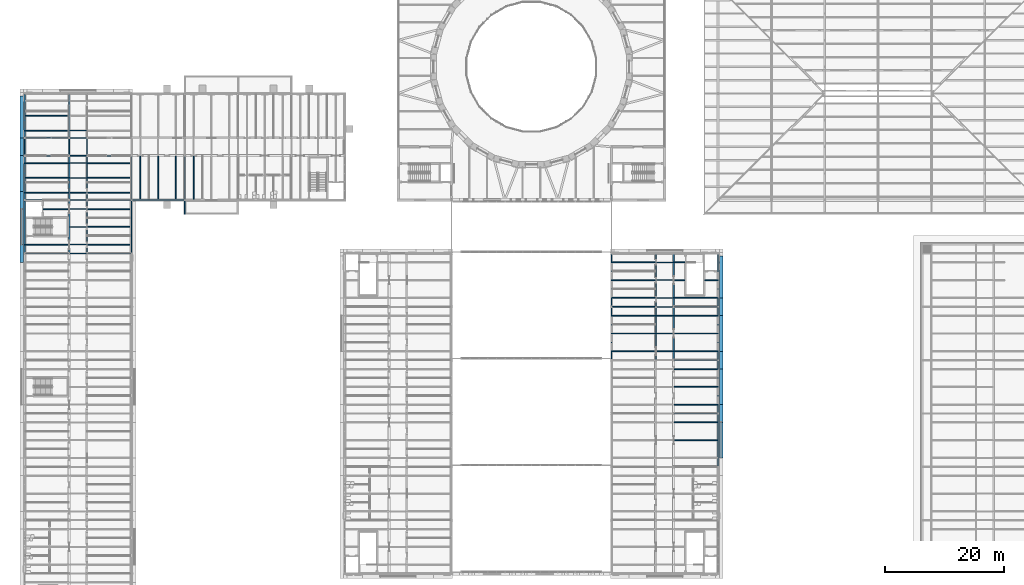
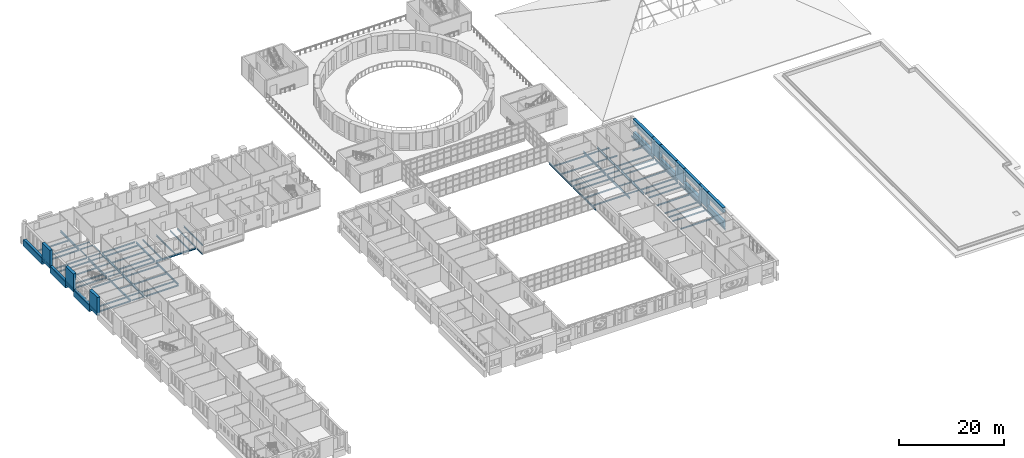
# One storey, part 34 of 154: 101 beams, 6 members.
"""IFC4 building model written with IfcOpenShell, lengths in metres."""

from ifc_helpers import new_model, si_unit, direction, frame, origin, origin_2d, place, context, subcontext, project, spatial, rectangle, i_section, extrude, material, material_profile, profile_set, type_object, element, save


model = new_model("IFC4")

# Units and contexts
model_context = context("Model", 3, precision=1e-05, world=origin(), true_north=direction((0.0, 1.0)))
body_context = subcontext(model_context, "Body", "Model", "MODEL_VIEW")
ifc_project = project(units=[si_unit("LENGTHUNIT", "METRE"), si_unit("AREAUNIT", "SQUARE_METRE"), si_unit("VOLUMEUNIT", "CUBIC_METRE"), si_unit("PLANEANGLEUNIT", "RADIAN"), si_unit("MASSUNIT", "GRAM", prefix="KILO")], contexts=[model_context])

# Site, building, storey
site_placement = place(None, origin())
site = spatial("IfcSite", under=ifc_project, at=site_placement, CompositionType="ELEMENT")
building_placement = place(site_placement, origin())
building = spatial("IfcBuilding", under=site, at=building_placement, Name="Golden Quay Civic Hall", CompositionType="ELEMENT")
storey_placement = place(building_placement, frame((0.0, 0.0, 14.39990234375)))
storey = spatial("IfcBuildingStorey", under=building, at=storey_placement, Name="L03", CompositionType="ELEMENT", Elevation=14.39990234375)

# Beam
ifc_material_1 = material(Name="Steel S355", Category="steel")
ifc_material_profile_1 = material_profile(ifc_material_1, i_section(OverallWidth=0.159912109375, OverallDepth=0.330078125, WebThickness=0.007568359375, FlangeThickness=0.011474609375, FilletRadius=0.01806640625, at=origin_2d()), Name="IPE 330")
ifc_profile_set_1 = profile_set([ifc_material_profile_1], Name="Steel S355")
beam_type_1 = type_object("IfcBeamType", Name="Loggia stub IPE 330", PredefinedType="BEAM", material=ifc_profile_set_1)
beam_1_placement = place(storey_placement, frame((27.0, 62.885009765625, -0.364990234375), z_axis=(0.0, -1.0, 0.0), x_axis=(1.0, 0.0, 0.0)))
element("IfcBeam", 1, at=beam_1_placement, inside=storey, type_object=beam_type_1, Name="Loggia stub IPE 330 L03 1", PredefinedType="BEAM", context=body_context, shape_type="SweptSolid", body=[
    extrude(i_section(OverallWidth=0.159912109375, OverallDepth=0.330078125, WebThickness=0.007568359375, FlangeThickness=0.011474609375, FilletRadius=0.01806640625, at=origin_2d()), origin(), (0.0, 0.0, 1.0), 2.235107421875),
])

# Members
ifc_material_2 = material(Name="Concrete C40/50", Category="concrete")
ifc_material_profile_2 = material_profile(ifc_material_2, rectangle(XDim=3.0, YDim=0.60009765625, at=origin_2d()), Name="RC 3000x600")
ifc_profile_set_2 = profile_set([ifc_material_profile_2], Name="Concrete C40/50")
member_type = type_object("IfcMemberType", Name="Precast concrete facade pier 3000 x 600", PredefinedType="POST", material=ifc_profile_set_2)
for number, where, z_axis, x_axis, name in (
    (2, (-0.5, 54.0, 0.0), (0.0, 0.0, 1.0), (0.0, 1.0, 0.0), "Precast concrete facade pier 3000 x 600 L03 6"),
    (3, (-0.5, 63.0, 0.0), (0.0, 0.0, 1.0), (0.0, 1.0, 0.0), "Precast concrete facade pier 3000 x 600 L03 7"),
    (4, (-0.5, 72.0, 0.0), (0.0, 0.0, 1.0), (0.0, 1.0, 0.0), "Precast concrete facade pier 3000 x 600 L03 8"),
):
    element("IfcMember", number, at=place(storey_placement, frame(where, z_axis=z_axis, x_axis=x_axis)), inside=storey, type_object=member_type, Name=name, PredefinedType="POST", context=body_context, shape_type="SweptSolid", body=[
        extrude(rectangle(XDim=3.0, YDim=0.60009765625, at=origin_2d()), origin(), (0.0, 0.0, 1.0), 4.2001953125),
    ])
for number, where, z_axis, x_axis, name in (
    (5, (117.5, 27.0, 0.0), (0.0, 0.0, 1.0), (0.0, 1.0, 0.0), "Precast concrete facade pier 3000 x 600 L03 28"),
    (6, (117.5, 36.0, 0.0), (0.0, 0.0, 1.0), (0.0, 1.0, 0.0), "Precast concrete facade pier 3000 x 600 L03 29"),
    (7, (117.5, 45.0, 0.0), (0.0, 0.0, 1.0), (0.0, 1.0, 0.0), "Precast concrete facade pier 3000 x 600 L03 30"),
):
    element("IfcMember", number, at=place(storey_placement, frame(where, z_axis=z_axis, x_axis=x_axis)), inside=storey, type_object=member_type, Name=name, PredefinedType="POST", context=body_context, shape_type="SweptSolid", body=[
        extrude(rectangle(XDim=3.0, YDim=0.60009765625, at=origin_2d()), origin(), (0.0, 0.0, 1.0), 3.68017578125),
    ])

# Beams
ifc_material_3 = material(Name="Concrete C40/50", Category="concrete")
ifc_material_profile_3 = material_profile(ifc_material_3, rectangle(XDim=0.60009765625, YDim=1.199951171875, at=origin_2d()), Name="RC 600x1200")
ifc_profile_set_3 = profile_set([ifc_material_profile_3], Name="Concrete C40/50")
beam_type_2 = type_object("IfcBeamType", Name="Precast concrete spandrel beam 600 x 1200", PredefinedType="SPANDREL", material=ifc_profile_set_3)
beam_2_placement = place(storey_placement, frame((117.5, 46.5, 3.080078125), z_axis=(0.0, 1.0, 0.0), x_axis=(-1.0, 0.0, 0.0)))
element("IfcBeam", 8, at=beam_2_placement, inside=storey, type_object=beam_type_2, Name="Precast concrete spandrel beam 600 x 1200 L03 13", PredefinedType="SPANDREL", context=body_context, shape_type="SweptSolid", body=[
    extrude(rectangle(XDim=0.60009765625, YDim=1.199951171875, at=origin_2d()), origin(), (0.0, 0.0, 1.0), 7.10009765625),
])
for number, where, z_axis, x_axis, name in (
    (9, (117.5, 37.5, 3.080078125), (0.0, 1.0, 0.0), (-1.0, 0.0, 0.0), "Precast concrete spandrel beam 600 x 1200 L03 14"),
    (10, (117.5, 28.5, 3.080078125), (0.0, 1.0, 0.0), (-1.0, 0.0, 0.0), "Precast concrete spandrel beam 600 x 1200 L03 15"),
    (11, (117.5, 19.5, 3.080078125), (0.0, 1.0, 0.0), (-1.0, 0.0, 0.0), "Precast concrete spandrel beam 600 x 1200 L03 16"),
):
    element("IfcBeam", number, at=place(storey_placement, frame(where, z_axis=z_axis, x_axis=x_axis)), inside=storey, type_object=beam_type_2, Name=name, PredefinedType="SPANDREL", context=body_context, shape_type="SweptSolid", body=[
        extrude(rectangle(XDim=0.60009765625, YDim=1.199951171875, at=origin_2d()), origin(), (0.0, 0.0, 1.0), 6.0),
    ])
ifc_material_4 = material(Name="Concrete C40/50", Category="concrete")
ifc_material_profile_4 = material_profile(ifc_material_4, rectangle(XDim=0.60009765625, YDim=1.5, at=origin_2d()), Name="RC 600x1500")
ifc_profile_set_4 = profile_set([ifc_material_profile_4], Name="Concrete C40/50")
beam_type_3 = type_object("IfcBeamType", Name="Precast concrete spandrel beam 600 x 1500", PredefinedType="SPANDREL", material=ifc_profile_set_4)
beam_3_placement = place(storey_placement, frame((-0.5, 73.5, -0.14990234375), z_axis=(0.0, 1.0, 0.0), x_axis=(-1.0, 0.0, 0.0)))
element("IfcBeam", 12, at=beam_3_placement, inside=storey, type_object=beam_type_3, Name="Precast concrete spandrel beam 600 x 1500 L03 3", PredefinedType="SPANDREL", context=body_context, shape_type="SweptSolid", body=[
    extrude(rectangle(XDim=0.60009765625, YDim=1.5, at=origin_2d()), origin(), (0.0, 0.0, 1.0), 7.10009765625),
])
for number, where, z_axis, x_axis, name in (
    (13, (-0.5, 64.5, -0.14990234375), (0.0, 1.0, 0.0), (-1.0, 0.0, 0.0), "Precast concrete spandrel beam 600 x 1500 L03 6"),
    (14, (-0.5, 55.5, -0.14990234375), (0.0, 1.0, 0.0), (-1.0, 0.0, 0.0), "Precast concrete spandrel beam 600 x 1500 L03 7"),
):
    element("IfcBeam", number, at=place(storey_placement, frame(where, z_axis=z_axis, x_axis=x_axis)), inside=storey, type_object=beam_type_3, Name=name, PredefinedType="SPANDREL", context=body_context, shape_type="SweptSolid", body=[
        extrude(rectangle(XDim=0.60009765625, YDim=1.5, at=origin_2d()), origin(), (0.0, 0.0, 1.0), 6.0),
    ])
beam_4_placement = place(storey_placement, frame((117.5, 46.5, -0.14990234375), z_axis=(0.0, 1.0, 0.0), x_axis=(-1.0, 0.0, 0.0)))
element("IfcBeam", 15, at=beam_4_placement, inside=storey, type_object=beam_type_3, Name="Precast concrete spandrel beam 600 x 1500 L03 32", PredefinedType="SPANDREL", context=body_context, shape_type="SweptSolid", body=[
    extrude(rectangle(XDim=0.60009765625, YDim=1.5, at=origin_2d()), origin(), (0.0, 0.0, 1.0), 7.10009765625),
])
for number, where, z_axis, x_axis, name in (
    (16, (117.5, 37.5, -0.14990234375), (0.0, 1.0, 0.0), (-1.0, 0.0, 0.0), "Precast concrete spandrel beam 600 x 1500 L03 33"),
    (17, (117.5, 28.5, -0.14990234375), (0.0, 1.0, 0.0), (-1.0, 0.0, 0.0), "Precast concrete spandrel beam 600 x 1500 L03 34"),
    (18, (117.5, 19.5, -0.14990234375), (0.0, 1.0, 0.0), (-1.0, 0.0, 0.0), "Precast concrete spandrel beam 600 x 1500 L03 35"),
):
    element("IfcBeam", number, at=place(storey_placement, frame(where, z_axis=z_axis, x_axis=x_axis)), inside=storey, type_object=beam_type_3, Name=name, PredefinedType="SPANDREL", context=body_context, shape_type="SweptSolid", body=[
        extrude(rectangle(XDim=0.60009765625, YDim=1.5, at=origin_2d()), origin(), (0.0, 0.0, 1.0), 6.0),
    ])
ifc_material_5 = material(Name="Steel S355", Category="steel")
ifc_material_profile_5 = material_profile(ifc_material_5, i_section(OverallWidth=0.10009765625, OverallDepth=0.199951171875, WebThickness=0.005615234375, FlangeThickness=0.008544921875, FilletRadius=0.011962890625, at=origin_2d()), Name="IPE 200")
ifc_profile_set_5 = profile_set([ifc_material_profile_5], Name="Steel S355")
beam_type_4 = type_object("IfcBeamType", Name="Steel beam IPE 200", PredefinedType="BEAM", material=ifc_profile_set_5)
for number, where, z_axis, x_axis, name in (
    (19, (7.64990234375, 54.0, -0.2998046875), (1.0, 0.0, 0.0), (0.0, 1.0, 0.0), "Beam S54-7.5"),
    (20, (7.64990234375, 63.0, -0.2998046875), (1.0, 0.0, 0.0), (0.0, 1.0, 0.0), "Beam S63-7.5"),
    (21, (7.64990234375, 70.5, -0.2998046875), (1.0, 0.0, 0.0), (0.0, 1.0, 0.0), "Beam S70.5-7.5"),
    (22, (7.64990234375, 73.5, -0.2998046875), (1.0, 0.0, 0.0), (0.0, 1.0, 0.0), "Beam S73.5-7.5"),
):
    element("IfcBeam", number, at=place(storey_placement, frame(where, z_axis=z_axis, x_axis=x_axis)), inside=storey, type_object=beam_type_4, Name=name, PredefinedType="BEAM", context=body_context, shape_type="SweptSolid", body=[
        extrude(i_section(OverallWidth=0.10009765625, OverallDepth=0.199951171875, WebThickness=0.005615234375, FlangeThickness=0.008544921875, FilletRadius=0.011962890625, at=origin_2d()), origin(), (0.0, 0.0, 1.0), 2.7001953125),
    ])
beam_5_placement = place(storey_placement, frame((106.639892578125, 45.0, -0.2998046875), z_axis=(1.0, 0.0, 0.0), x_axis=(0.0, 1.0, 0.0)))
element("IfcBeam", 23, at=beam_5_placement, inside=storey, type_object=beam_type_4, Name="Beam S45-106.5", PredefinedType="BEAM", context=body_context, shape_type="SweptSolid", body=[
    extrude(i_section(OverallWidth=0.10009765625, OverallDepth=0.199951171875, WebThickness=0.005615234375, FlangeThickness=0.008544921875, FilletRadius=0.011962890625, at=origin_2d()), origin(), (0.0, 0.0, 1.0), 2.72021484375),
])
ifc_material_6 = material(Name="Steel S355", Category="steel")
ifc_material_profile_6 = material_profile(ifc_material_6, i_section(OverallWidth=0.135009765625, OverallDepth=0.27001953125, WebThickness=0.006591796875, FlangeThickness=0.01025390625, FilletRadius=0.014892578125, at=origin_2d()), Name="IPE 270")
ifc_profile_set_6 = profile_set([ifc_material_profile_6], Name="Steel S355")
beam_type_5 = type_object("IfcBeamType", Name="Steel beam IPE 270", PredefinedType="BEAM", material=ifc_profile_set_6)
beam_6_placement = place(storey_placement, frame((0.0, 70.64501953125, -0.3349609375), z_axis=(0.0, 1.0, 0.0), x_axis=(-1.0, 0.0, 0.0)))
element("IfcBeam", 24, at=beam_6_placement, inside=storey, type_object=beam_type_5, Name="Beam L0-70.5", PredefinedType="BEAM", context=body_context, shape_type="SweptSolid", body=[
    extrude(i_section(OverallWidth=0.135009765625, OverallDepth=0.27001953125, WebThickness=0.006591796875, FlangeThickness=0.01025390625, FilletRadius=0.014892578125, at=origin_2d()), origin(), (0.0, 0.0, 1.0), 2.7099609375),
])
for number, where, z_axis, x_axis, name in (
    (25, (7.5, 70.64990234375, -0.3349609375), (0.0, 1.0, 0.0), (-1.0, 0.0, 0.0), "Beam L7.5-70.5"),
    (26, (10.5, 70.64990234375, -0.3349609375), (0.0, 1.0, 0.0), (-1.0, 0.0, 0.0), "Beam L10.5-70.5"),
):
    element("IfcBeam", number, at=place(storey_placement, frame(where, z_axis=z_axis, x_axis=x_axis)), inside=storey, type_object=beam_type_5, Name=name, PredefinedType="BEAM", context=body_context, shape_type="SweptSolid", body=[
        extrude(i_section(OverallWidth=0.135009765625, OverallDepth=0.27001953125, WebThickness=0.006591796875, FlangeThickness=0.01025390625, FilletRadius=0.014892578125, at=origin_2d()), origin(), (0.0, 0.0, 1.0), 2.7001953125),
    ])
ifc_material_7 = material(Name="Steel S355", Category="steel")
ifc_material_profile_7 = material_profile(ifc_material_7, i_section(OverallWidth=0.159912109375, OverallDepth=0.330078125, WebThickness=0.007568359375, FlangeThickness=0.011474609375, FilletRadius=0.01806640625, at=origin_2d()), Name="IPE 330")
ifc_profile_set_7 = profile_set([ifc_material_profile_7], Name="Steel S355")
beam_type_6 = type_object("IfcBeamType", Name="Steel beam IPE 330", PredefinedType="BEAM", material=ifc_profile_set_7)
for number, where, z_axis, x_axis, name in (
    (27, (0.14990234375, 54.0, -0.364990234375), (1.0, 0.0, 0.0), (0.0, 1.0, 0.0), "Beam S54-0"),
    (28, (10.64990234375, 54.0, -0.364990234375), (1.0, 0.0, 0.0), (0.0, 1.0, 0.0), "Beam S54-10.5"),
    (29, (0.14990234375, 63.0, -0.364990234375), (1.0, 0.0, 0.0), (0.0, 1.0, 0.0), "Beam S63-0"),
    (30, (10.64990234375, 63.0, -0.364990234375), (1.0, 0.0, 0.0), (0.0, 1.0, 0.0), "Beam S63-10.5"),
    (31, (0.14990234375, 70.5, -0.364990234375), (1.0, 0.0, 0.0), (0.0, 1.0, 0.0), "Beam S70.5-0"),
    (32, (10.64990234375, 70.5, -0.364990234375), (1.0, 0.0, 0.0), (0.0, 1.0, 0.0), "Beam S70.5-10.5"),
    (33, (0.14990234375, 73.5, -0.364990234375), (1.0, 0.0, 0.0), (0.0, 1.0, 0.0), "Beam S73.5-0"),
):
    element("IfcBeam", number, at=place(storey_placement, frame(where, z_axis=z_axis, x_axis=x_axis)), inside=storey, type_object=beam_type_6, Name=name, PredefinedType="BEAM", context=body_context, shape_type="SweptSolid", body=[
        extrude(i_section(OverallWidth=0.159912109375, OverallDepth=0.330078125, WebThickness=0.007568359375, FlangeThickness=0.011474609375, FilletRadius=0.01806640625, at=origin_2d()), origin(), (0.0, 0.0, 1.0), 7.2001953125),
    ])
beam_7_placement = place(storey_placement, frame((27.0, 63.135009765625, -0.364990234375), z_axis=(0.0, 1.0, 0.0), x_axis=(-1.0, 0.0, 0.0)))
element("IfcBeam", 34, at=beam_7_placement, inside=storey, type_object=beam_type_6, Name="Beam S27-63", PredefinedType="BEAM", context=body_context, shape_type="SweptSolid", body=[
    extrude(i_section(OverallWidth=0.159912109375, OverallDepth=0.330078125, WebThickness=0.007568359375, FlangeThickness=0.011474609375, FilletRadius=0.01806640625, at=origin_2d()), origin(), (0.0, 0.0, 1.0), 7.219970703125),
])
for number, where, z_axis, x_axis, name in (
    (35, (109.639892578125, 27.0, -0.364990234375), (1.0, 0.0, 0.0), (0.0, 1.0, 0.0), "Beam S27-109.5"),
    (36, (109.639892578125, 36.0, -0.364990234375), (1.0, 0.0, 0.0), (0.0, 1.0, 0.0), "Beam S36-109.5"),
    (37, (99.1201171875, 45.0, -0.364990234375), (1.0, 0.0, 0.0), (0.0, 1.0, 0.0), "Beam S45-99"),
    (38, (109.639892578125, 45.0, -0.364990234375), (1.0, 0.0, 0.0), (0.0, 1.0, 0.0), "Beam S45-109.5"),
):
    element("IfcBeam", number, at=place(storey_placement, frame(where, z_axis=z_axis, x_axis=x_axis)), inside=storey, type_object=beam_type_6, Name=name, PredefinedType="BEAM", context=body_context, shape_type="SweptSolid", body=[
        extrude(i_section(OverallWidth=0.159912109375, OverallDepth=0.330078125, WebThickness=0.007568359375, FlangeThickness=0.011474609375, FilletRadius=0.01806640625, at=origin_2d()), origin(), (0.0, 0.0, 1.0), 7.239990234375),
    ])
ifc_material_8 = material(Name="Steel S355", Category="steel")
ifc_material_profile_8 = material_profile(ifc_material_8, i_section(OverallWidth=0.179931640625, OverallDepth=0.39990234375, WebThickness=0.008544921875, FlangeThickness=0.013427734375, FilletRadius=0.02099609375, at=origin_2d()), Name="IPE 400")
ifc_profile_set_8 = profile_set([ifc_material_profile_8], Name="Steel S355")
beam_type_7 = type_object("IfcBeamType", Name="Steel beam IPE 400", PredefinedType="BEAM", material=ifc_profile_set_8)
beam_8_placement = place(storey_placement, frame((0.0, 54.14501953125, -0.39990234375), z_axis=(0.0, 1.0, 0.0), x_axis=(-1.0, 0.0, 0.0)))
element("IfcBeam", 39, at=beam_8_placement, inside=storey, type_object=beam_type_7, Name="Beam L0-54", PredefinedType="BEAM", context=body_context, shape_type="SweptSolid", body=[
    extrude(i_section(OverallWidth=0.179931640625, OverallDepth=0.39990234375, WebThickness=0.008544921875, FlangeThickness=0.013427734375, FilletRadius=0.02099609375, at=origin_2d()), origin(), (0.0, 0.0, 1.0), 8.7099609375),
])
for number, where, z_axis, x_axis, name in (
    (40, (0.0, 63.14501953125, -0.39990234375), (0.0, 1.0, 0.0), (-1.0, 0.0, 0.0), "Beam L0-63"),
    (41, (0.0, 73.64501953125, -0.39990234375), (0.0, 1.0, 0.0), (-1.0, 0.0, 0.0), "Beam L0-73.5"),
):
    element("IfcBeam", number, at=place(storey_placement, frame(where, z_axis=z_axis, x_axis=x_axis)), inside=storey, type_object=beam_type_7, Name=name, PredefinedType="BEAM", context=body_context, shape_type="SweptSolid", body=[
        extrude(i_section(OverallWidth=0.179931640625, OverallDepth=0.39990234375, WebThickness=0.008544921875, FlangeThickness=0.013427734375, FilletRadius=0.02099609375, at=origin_2d()), origin(), (0.0, 0.0, 1.0), 7.2099609375),
    ])
beam_9_placement = place(storey_placement, frame((18.0, 54.14501953125, -0.39990234375), z_axis=(0.0, 1.0, 0.0), x_axis=(-1.0, 0.0, 0.0)))
element("IfcBeam", 42, at=beam_9_placement, inside=storey, type_object=beam_type_7, Name="Beam L18-54", PredefinedType="BEAM", context=body_context, shape_type="SweptSolid", body=[
    extrude(i_section(OverallWidth=0.179931640625, OverallDepth=0.39990234375, WebThickness=0.008544921875, FlangeThickness=0.013427734375, FilletRadius=0.02099609375, at=origin_2d()), origin(), (0.0, 0.0, 1.0), 8.7099609375),
])
beam_10_placement = place(storey_placement, frame((18.0, 63.14501953125, -0.39990234375), z_axis=(0.0, 1.0, 0.0), x_axis=(-1.0, 0.0, 0.0)))
element("IfcBeam", 43, at=beam_10_placement, inside=storey, type_object=beam_type_7, Name="Beam L18-63", PredefinedType="BEAM", context=body_context, shape_type="SweptSolid", body=[
    extrude(i_section(OverallWidth=0.179931640625, OverallDepth=0.39990234375, WebThickness=0.008544921875, FlangeThickness=0.013427734375, FilletRadius=0.02099609375, at=origin_2d()), origin(), (0.0, 0.0, 1.0), 7.2099609375),
])
beam_11_placement = place(storey_placement, frame((18.14990234375, 63.0, -0.39990234375), z_axis=(1.0, 0.0, 0.0), x_axis=(0.0, 1.0, 0.0)))
element("IfcBeam", 44, at=beam_11_placement, inside=storey, type_object=beam_type_7, Name="Beam L63-18", PredefinedType="BEAM", context=body_context, shape_type="SweptSolid", body=[
    extrude(i_section(OverallWidth=0.179931640625, OverallDepth=0.39990234375, WebThickness=0.008544921875, FlangeThickness=0.013427734375, FilletRadius=0.02099609375, at=origin_2d()), origin(), (0.0, 0.0, 1.0), 8.710205078125),
])
for number, where, z_axis, x_axis, name in (
    (45, (99.0, 36.114990234375, -0.39990234375), (0.0, 1.0, 0.0), (-1.0, 0.0, 0.0), "Beam L99-36"),
    (46, (99.0, 45.114990234375, -0.39990234375), (0.0, 1.0, 0.0), (-1.0, 0.0, 0.0), "Beam L99-45"),
    (47, (117.0, 18.114990234375, -0.39990234375), (0.0, 1.0, 0.0), (-1.0, 0.0, 0.0), "Beam L117-18"),
    (48, (117.0, 27.114990234375, -0.39990234375), (0.0, 1.0, 0.0), (-1.0, 0.0, 0.0), "Beam L117-27"),
    (49, (117.0, 36.114990234375, -0.39990234375), (0.0, 1.0, 0.0), (-1.0, 0.0, 0.0), "Beam L117-36"),
    (50, (117.0, 45.114990234375, -0.39990234375), (0.0, 1.0, 0.0), (-1.0, 0.0, 0.0), "Beam L117-45"),
):
    element("IfcBeam", number, at=place(storey_placement, frame(where, z_axis=z_axis, x_axis=x_axis)), inside=storey, type_object=beam_type_7, Name=name, PredefinedType="BEAM", context=body_context, shape_type="SweptSolid", body=[
        extrude(i_section(OverallWidth=0.179931640625, OverallDepth=0.39990234375, WebThickness=0.008544921875, FlangeThickness=0.013427734375, FilletRadius=0.02099609375, at=origin_2d()), origin(), (0.0, 0.0, 1.0), 8.77001953125),
    ])
ifc_material_9 = material(Name="Steel S355", Category="steel")
ifc_material_profile_9 = material_profile(ifc_material_9, i_section(OverallWidth=0.199951171875, OverallDepth=0.5, WebThickness=0.01025390625, FlangeThickness=0.01611328125, FilletRadius=0.02099609375, at=origin_2d()), Name="IPE 500")
ifc_profile_set_9 = profile_set([ifc_material_profile_9], Name="Steel S355")
beam_type_8 = type_object("IfcBeamType", Name="Steel beam IPE 500", PredefinedType="BEAM", material=ifc_profile_set_9)
beam_12_placement = place(storey_placement, frame((7.5, 54.14990234375, -0.449951171875), z_axis=(0.0, 1.0, 0.0), x_axis=(-1.0, 0.0, 0.0)))
element("IfcBeam", 51, at=beam_12_placement, inside=storey, type_object=beam_type_8, Name="Beam L7.5-54", PredefinedType="BEAM", context=body_context, shape_type="SweptSolid", body=[
    extrude(i_section(OverallWidth=0.199951171875, OverallDepth=0.5, WebThickness=0.01025390625, FlangeThickness=0.01611328125, FilletRadius=0.02099609375, at=origin_2d()), origin(), (0.0, 0.0, 1.0), 8.7001953125),
])
beam_13_placement = place(storey_placement, frame((7.5, 63.14990234375, -0.449951171875), z_axis=(0.0, 1.0, 0.0), x_axis=(-1.0, 0.0, 0.0)))
element("IfcBeam", 52, at=beam_13_placement, inside=storey, type_object=beam_type_8, Name="Beam L7.5-63", PredefinedType="BEAM", context=body_context, shape_type="SweptSolid", body=[
    extrude(i_section(OverallWidth=0.199951171875, OverallDepth=0.5, WebThickness=0.01025390625, FlangeThickness=0.01611328125, FilletRadius=0.02099609375, at=origin_2d()), origin(), (0.0, 0.0, 1.0), 7.2001953125),
])
beam_14_placement = place(storey_placement, frame((7.5, 73.64990234375, -0.449951171875), z_axis=(0.0, 1.0, 0.0), x_axis=(-1.0, 0.0, 0.0)))
element("IfcBeam", 53, at=beam_14_placement, inside=storey, type_object=beam_type_8, Name="Beam L7.5-73.5", PredefinedType="BEAM", context=body_context, shape_type="SweptSolid", body=[
    extrude(i_section(OverallWidth=0.199951171875, OverallDepth=0.5, WebThickness=0.01025390625, FlangeThickness=0.01611328125, FilletRadius=0.02099609375, at=origin_2d()), origin(), (0.0, 0.0, 1.0), 7.205078125),
])
beam_15_placement = place(storey_placement, frame((10.5, 54.14990234375, -0.449951171875), z_axis=(0.0, 1.0, 0.0), x_axis=(-1.0, 0.0, 0.0)))
element("IfcBeam", 54, at=beam_15_placement, inside=storey, type_object=beam_type_8, Name="Beam L10.5-54", PredefinedType="BEAM", context=body_context, shape_type="SweptSolid", body=[
    extrude(i_section(OverallWidth=0.199951171875, OverallDepth=0.5, WebThickness=0.01025390625, FlangeThickness=0.01611328125, FilletRadius=0.02099609375, at=origin_2d()), origin(), (0.0, 0.0, 1.0), 8.7001953125),
])
beam_16_placement = place(storey_placement, frame((10.5, 63.14990234375, -0.449951171875), z_axis=(0.0, 1.0, 0.0), x_axis=(-1.0, 0.0, 0.0)))
element("IfcBeam", 55, at=beam_16_placement, inside=storey, type_object=beam_type_8, Name="Beam L10.5-63", PredefinedType="BEAM", context=body_context, shape_type="SweptSolid", body=[
    extrude(i_section(OverallWidth=0.199951171875, OverallDepth=0.5, WebThickness=0.01025390625, FlangeThickness=0.01611328125, FilletRadius=0.02099609375, at=origin_2d()), origin(), (0.0, 0.0, 1.0), 7.2001953125),
])
beam_17_placement = place(storey_placement, frame((106.5, 36.135009765625, -0.449951171875), z_axis=(0.0, 1.0, 0.0), x_axis=(-1.0, 0.0, 0.0)))
element("IfcBeam", 56, at=beam_17_placement, inside=storey, type_object=beam_type_8, Name="Beam L106.5-36", PredefinedType="BEAM", context=body_context, shape_type="SweptSolid", body=[
    extrude(i_section(OverallWidth=0.199951171875, OverallDepth=0.5, WebThickness=0.01025390625, FlangeThickness=0.01611328125, FilletRadius=0.02099609375, at=origin_2d()), origin(), (0.0, 0.0, 1.0), 8.72998046875),
])
beam_18_placement = place(storey_placement, frame((106.5, 45.135009765625, -0.449951171875), z_axis=(0.0, 1.0, 0.0), x_axis=(-1.0, 0.0, 0.0)))
element("IfcBeam", 57, at=beam_18_placement, inside=storey, type_object=beam_type_8, Name="Beam L106.5-45", PredefinedType="BEAM", context=body_context, shape_type="SweptSolid", body=[
    extrude(i_section(OverallWidth=0.199951171875, OverallDepth=0.5, WebThickness=0.01025390625, FlangeThickness=0.01611328125, FilletRadius=0.02099609375, at=origin_2d()), origin(), (0.0, 0.0, 1.0), 8.75),
])
beam_19_placement = place(storey_placement, frame((109.5, 36.135009765625, -0.449951171875), z_axis=(0.0, 1.0, 0.0), x_axis=(-1.0, 0.0, 0.0)))
element("IfcBeam", 58, at=beam_19_placement, inside=storey, type_object=beam_type_8, Name="Beam L109.5-36", PredefinedType="BEAM", context=body_context, shape_type="SweptSolid", body=[
    extrude(i_section(OverallWidth=0.199951171875, OverallDepth=0.5, WebThickness=0.01025390625, FlangeThickness=0.01611328125, FilletRadius=0.02099609375, at=origin_2d()), origin(), (0.0, 0.0, 1.0), 8.72998046875),
])
beam_20_placement = place(storey_placement, frame((109.5, 45.135009765625, -0.449951171875), z_axis=(0.0, 1.0, 0.0), x_axis=(-1.0, 0.0, 0.0)))
element("IfcBeam", 59, at=beam_20_placement, inside=storey, type_object=beam_type_8, Name="Beam L109.5-45", PredefinedType="BEAM", context=body_context, shape_type="SweptSolid", body=[
    extrude(i_section(OverallWidth=0.199951171875, OverallDepth=0.5, WebThickness=0.01025390625, FlangeThickness=0.01611328125, FilletRadius=0.02099609375, at=origin_2d()), origin(), (0.0, 0.0, 1.0), 8.75),
])
ifc_material_10 = material(Name="Steel S355", Category="steel")
ifc_material_profile_10 = material_profile(ifc_material_10, i_section(OverallWidth=0.10009765625, OverallDepth=0.199951171875, WebThickness=0.005615234375, FlangeThickness=0.008544921875, FilletRadius=0.011962890625, at=origin_2d()), Name="IPE 200")
ifc_profile_set_10 = profile_set([ifc_material_profile_10], Name="Steel S355")
beam_type_9 = type_object("IfcBeamType", Name="Steel joist IPE 200", PredefinedType="JOIST", material=ifc_profile_set_10)
for number, where, z_axis, x_axis, name in (
    (60, (7.60009765625, 55.5, -0.2998046875), (1.0, 0.0, 0.0), (0.0, 1.0, 0.0), "Joist J55.5-7.5"),
    (61, (7.60009765625, 58.5, -0.2998046875), (1.0, 0.0, 0.0), (0.0, 1.0, 0.0), "Joist J58.5-7.5"),
    (62, (7.60009765625, 61.5, -0.2998046875), (1.0, 0.0, 0.0), (0.0, 1.0, 0.0), "Joist J61.5-7.5"),
    (63, (7.60009765625, 64.25, -0.2998046875), (1.0, 0.0, 0.0), (0.0, 1.0, 0.0), "Joist J64.25-7.5"),
    (64, (7.60009765625, 66.75, -0.2998046875), (1.0, 0.0, 0.0), (0.0, 1.0, 0.0), "Joist J66.75-7.5"),
    (65, (7.60009765625, 69.25, -0.2998046875), (1.0, 0.0, 0.0), (0.0, 1.0, 0.0), "Joist J69.25-7.5"),
    (66, (7.60009765625, 74.75, -0.2998046875), (1.0, 0.0, 0.0), (0.0, 1.0, 0.0), "Joist J74.75-7.5"),
    (67, (106.60009765625, 37.5, -0.2998046875), (1.0, 0.0, 0.0), (0.0, 1.0, 0.0), "Joist J37.5-106.5"),
    (68, (106.60009765625, 40.5, -0.2998046875), (1.0, 0.0, 0.0), (0.0, 1.0, 0.0), "Joist J40.5-106.5"),
    (69, (106.60009765625, 43.5, -0.2998046875), (1.0, 0.0, 0.0), (0.0, 1.0, 0.0), "Joist J43.5-106.5"),
    (70, (106.60009765625, 46.5, -0.2998046875), (1.0, 0.0, 0.0), (0.0, 1.0, 0.0), "Joist J46.5-106.5"),
    (71, (106.60009765625, 49.5, -0.2998046875), (1.0, 0.0, 0.0), (0.0, 1.0, 0.0), "Joist J49.5-106.5"),
    (72, (106.60009765625, 52.5, -0.2998046875), (1.0, 0.0, 0.0), (0.0, 1.0, 0.0), "Joist J52.5-106.5"),
):
    element("IfcBeam", number, at=place(storey_placement, frame(where, z_axis=z_axis, x_axis=x_axis)), inside=storey, type_object=beam_type_9, Name=name, PredefinedType="JOIST", context=body_context, shape_type="SweptSolid", body=[
        extrude(i_section(OverallWidth=0.10009765625, OverallDepth=0.199951171875, WebThickness=0.005615234375, FlangeThickness=0.008544921875, FilletRadius=0.011962890625, at=origin_2d()), origin(), (0.0, 0.0, 1.0), 2.7998046875),
    ])
ifc_material_11 = material(Name="Steel S355", Category="steel")
ifc_material_profile_11 = material_profile(ifc_material_11, i_section(OverallWidth=0.159912109375, OverallDepth=0.330078125, WebThickness=0.007568359375, FlangeThickness=0.011474609375, FilletRadius=0.01806640625, at=origin_2d()), Name="IPE 330")
ifc_profile_set_11 = profile_set([ifc_material_profile_11], Name="Steel S355")
beam_type_10 = type_object("IfcBeamType", Name="Steel joist IPE 330", PredefinedType="JOIST", material=ifc_profile_set_11)
for number, where, z_axis, x_axis, name in (
    (73, (0.090087890625, 55.5, -0.364990234375), (1.0, 0.0, 0.0), (0.0, 1.0, 0.0), "Joist J55.5-0"),
    (74, (10.60009765625, 55.5, -0.364990234375), (1.0, 0.0, 0.0), (0.0, 1.0, 0.0), "Joist J55.5-10.5"),
    (75, (10.60009765625, 58.5, -0.364990234375), (1.0, 0.0, 0.0), (0.0, 1.0, 0.0), "Joist J58.5-10.5"),
):
    element("IfcBeam", number, at=place(storey_placement, frame(where, z_axis=z_axis, x_axis=x_axis)), inside=storey, type_object=beam_type_10, Name=name, PredefinedType="JOIST", context=body_context, shape_type="SweptSolid", body=[
        extrude(i_section(OverallWidth=0.159912109375, OverallDepth=0.330078125, WebThickness=0.007568359375, FlangeThickness=0.011474609375, FilletRadius=0.01806640625, at=origin_2d()), origin(), (0.0, 0.0, 1.0), 7.309814453125),
    ])
beam_21_placement = place(storey_placement, frame((3.14990234375, 61.5, -0.364990234375), z_axis=(1.0, 0.0, 0.0), x_axis=(0.0, 1.0, 0.0)))
element("IfcBeam", 76, at=beam_21_placement, inside=storey, type_object=beam_type_10, Name="Joist J61.5-0-1", PredefinedType="JOIST", context=body_context, shape_type="SweptSolid", body=[
    extrude(i_section(OverallWidth=0.159912109375, OverallDepth=0.330078125, WebThickness=0.007568359375, FlangeThickness=0.011474609375, FilletRadius=0.01806640625, at=origin_2d()), origin(), (0.0, 0.0, 1.0), 4.25),
])
for number, where, z_axis, x_axis, name in (
    (77, (10.60009765625, 61.5, -0.364990234375), (1.0, 0.0, 0.0), (0.0, 1.0, 0.0), "Joist J61.5-10.5"),
    (78, (0.090087890625, 64.25, -0.364990234375), (1.0, 0.0, 0.0), (0.0, 1.0, 0.0), "Joist J64.25-0"),
    (79, (10.60009765625, 64.25, -0.364990234375), (1.0, 0.0, 0.0), (0.0, 1.0, 0.0), "Joist J64.25-10.5"),
    (80, (0.090087890625, 66.75, -0.364990234375), (1.0, 0.0, 0.0), (0.0, 1.0, 0.0), "Joist J66.75-0"),
    (81, (10.60009765625, 66.75, -0.364990234375), (1.0, 0.0, 0.0), (0.0, 1.0, 0.0), "Joist J66.75-10.5"),
    (82, (0.090087890625, 69.25, -0.364990234375), (1.0, 0.0, 0.0), (0.0, 1.0, 0.0), "Joist J69.25-0"),
    (83, (10.60009765625, 69.25, -0.364990234375), (1.0, 0.0, 0.0), (0.0, 1.0, 0.0), "Joist J69.25-10.5"),
    (84, (0.090087890625, 74.75, -0.364990234375), (1.0, 0.0, 0.0), (0.0, 1.0, 0.0), "Joist J74.75-0"),
    (85, (0.090087890625, 77.25, -0.364990234375), (1.0, 0.0, 0.0), (0.0, 1.0, 0.0), "Joist J77.25-0"),
    (86, (19.5, 63.090087890625, -0.364990234375), (0.0, 1.0, 0.0), (-1.0, 0.0, 0.0), "Joist J19.5-63"),
    (87, (22.5, 63.090087890625, -0.364990234375), (0.0, 1.0, 0.0), (-1.0, 0.0, 0.0), "Joist J22.5-63"),
    (88, (25.5, 63.090087890625, -0.364990234375), (0.0, 1.0, 0.0), (-1.0, 0.0, 0.0), "Joist J25.5-63"),
    (89, (28.5, 63.090087890625, -0.364990234375), (0.0, 1.0, 0.0), (-1.0, 0.0, 0.0), "Joist J28.5-63"),
    (90, (109.60009765625, 22.5, -0.364990234375), (1.0, 0.0, 0.0), (0.0, 1.0, 0.0), "Joist J22.5-109.5"),
    (91, (109.60009765625, 25.5, -0.364990234375), (1.0, 0.0, 0.0), (0.0, 1.0, 0.0), "Joist J25.5-109.5"),
    (92, (109.60009765625, 28.5, -0.364990234375), (1.0, 0.0, 0.0), (0.0, 1.0, 0.0), "Joist J28.5-109.5"),
    (93, (109.60009765625, 31.5, -0.364990234375), (1.0, 0.0, 0.0), (0.0, 1.0, 0.0), "Joist J31.5-109.5"),
    (94, (109.60009765625, 34.5, -0.364990234375), (1.0, 0.0, 0.0), (0.0, 1.0, 0.0), "Joist J34.5-109.5"),
    (95, (99.090087890625, 37.5, -0.364990234375), (1.0, 0.0, 0.0), (0.0, 1.0, 0.0), "Joist J37.5-99"),
    (96, (109.60009765625, 37.5, -0.364990234375), (1.0, 0.0, 0.0), (0.0, 1.0, 0.0), "Joist J37.5-109.5"),
    (97, (99.090087890625, 40.5, -0.364990234375), (1.0, 0.0, 0.0), (0.0, 1.0, 0.0), "Joist J40.5-99"),
    (98, (109.60009765625, 40.5, -0.364990234375), (1.0, 0.0, 0.0), (0.0, 1.0, 0.0), "Joist J40.5-109.5"),
    (99, (99.090087890625, 43.5, -0.364990234375), (1.0, 0.0, 0.0), (0.0, 1.0, 0.0), "Joist J43.5-99"),
    (100, (109.60009765625, 43.5, -0.364990234375), (1.0, 0.0, 0.0), (0.0, 1.0, 0.0), "Joist J43.5-109.5"),
    (101, (99.090087890625, 46.5, -0.364990234375), (1.0, 0.0, 0.0), (0.0, 1.0, 0.0), "Joist J46.5-99"),
    (102, (109.60009765625, 46.5, -0.364990234375), (1.0, 0.0, 0.0), (0.0, 1.0, 0.0), "Joist J46.5-109.5"),
    (103, (99.090087890625, 49.5, -0.364990234375), (1.0, 0.0, 0.0), (0.0, 1.0, 0.0), "Joist J49.5-99"),
):
    element("IfcBeam", number, at=place(storey_placement, frame(where, z_axis=z_axis, x_axis=x_axis)), inside=storey, type_object=beam_type_10, Name=name, PredefinedType="JOIST", context=body_context, shape_type="SweptSolid", body=[
        extrude(i_section(OverallWidth=0.159912109375, OverallDepth=0.330078125, WebThickness=0.007568359375, FlangeThickness=0.011474609375, FilletRadius=0.01806640625, at=origin_2d()), origin(), (0.0, 0.0, 1.0), 7.309814453125),
    ])
beam_22_placement = place(storey_placement, frame((109.60009765625, 49.5, -0.364990234375), z_axis=(1.0, 0.0, 0.0), x_axis=(0.0, 1.0, 0.0)))
element("IfcBeam", 104, at=beam_22_placement, inside=storey, type_object=beam_type_10, Name="Joist J49.5-109.5-0", PredefinedType="JOIST", context=body_context, shape_type="SweptSolid", body=[
    extrude(i_section(OverallWidth=0.159912109375, OverallDepth=0.330078125, WebThickness=0.007568359375, FlangeThickness=0.011474609375, FilletRadius=0.01806640625, at=origin_2d()), origin(), (0.0, 0.0, 1.0), 1.7998046875),
])
beam_23_placement = place(storey_placement, frame((114.75, 49.5, -0.364990234375), z_axis=(1.0, 0.0, 0.0), x_axis=(0.0, 1.0, 0.0)))
element("IfcBeam", 105, at=beam_23_placement, inside=storey, type_object=beam_type_10, Name="Joist J49.5-109.5-1", PredefinedType="JOIST", context=body_context, shape_type="SweptSolid", body=[
    extrude(i_section(OverallWidth=0.159912109375, OverallDepth=0.330078125, WebThickness=0.007568359375, FlangeThickness=0.011474609375, FilletRadius=0.01806640625, at=origin_2d()), origin(), (0.0, 0.0, 1.0), 2.159912109375),
])
beam_24_placement = place(storey_placement, frame((99.090087890625, 52.5, -0.364990234375), z_axis=(1.0, 0.0, 0.0), x_axis=(0.0, 1.0, 0.0)))
element("IfcBeam", 106, at=beam_24_placement, inside=storey, type_object=beam_type_10, Name="Joist J52.5-99", PredefinedType="JOIST", context=body_context, shape_type="SweptSolid", body=[
    extrude(i_section(OverallWidth=0.159912109375, OverallDepth=0.330078125, WebThickness=0.007568359375, FlangeThickness=0.011474609375, FilletRadius=0.01806640625, at=origin_2d()), origin(), (0.0, 0.0, 1.0), 7.309814453125),
])
beam_25_placement = place(storey_placement, frame((109.60009765625, 52.5, -0.364990234375), z_axis=(1.0, 0.0, 0.0), x_axis=(0.0, 1.0, 0.0)))
element("IfcBeam", 107, at=beam_25_placement, inside=storey, type_object=beam_type_10, Name="Joist J52.5-109.5-0", PredefinedType="JOIST", context=body_context, shape_type="SweptSolid", body=[
    extrude(i_section(OverallWidth=0.159912109375, OverallDepth=0.330078125, WebThickness=0.007568359375, FlangeThickness=0.011474609375, FilletRadius=0.01806640625, at=origin_2d()), origin(), (0.0, 0.0, 1.0), 1.7998046875),
])

save(model, "model.ifc")
